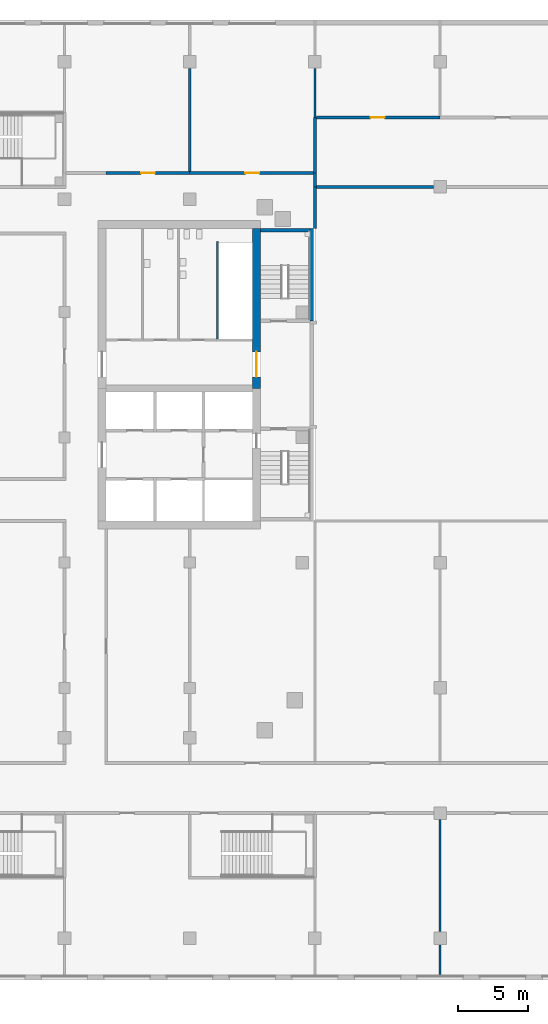
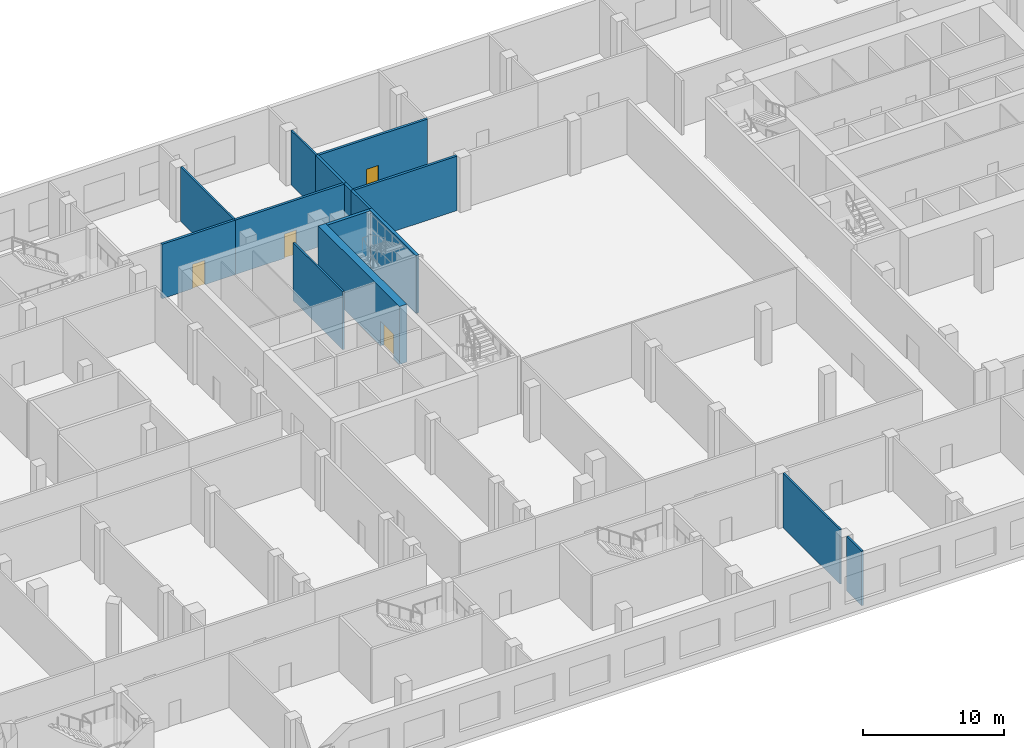
# One storey, part 7 of 21: 15 walls, 4 doors, 4 openings.
"""IFC4 building model written with IfcOpenShell, lengths in metres."""

from ifc_helpers import new_model, si_unit, direction, frame, frame_2d, origin, place, context, subcontext, project, spatial, rectangle, extrude, material, layer, layer_set, type_object, element, fill, save


model = new_model("IFC4")

# Units and contexts
model_context = context("Model", 3, precision=1e-05, world=origin(), true_north=direction((0.0, 1.0)))
body_context = subcontext(model_context, "Body", "Model", "MODEL_VIEW")
ifc_project = project(units=[si_unit("LENGTHUNIT", "METRE"), si_unit("AREAUNIT", "SQUARE_METRE"), si_unit("VOLUMEUNIT", "CUBIC_METRE"), si_unit("PLANEANGLEUNIT", "RADIAN"), si_unit("MASSUNIT", "GRAM", prefix="KILO")], contexts=[model_context])

# Site, building, storey
site_placement = place(None, origin())
site = spatial("IfcSite", under=ifc_project, at=site_placement, CompositionType="ELEMENT")
building_placement = place(site_placement, origin())
building = spatial("IfcBuilding", under=site, at=building_placement, Name="Cinnabar Reach Civic Tower", CompositionType="ELEMENT")
storey_placement = place(building_placement, frame((0.0, 0.0, 11.0)))
storey = spatial("IfcBuildingStorey", under=building, at=storey_placement, Name="L02", CompositionType="ELEMENT", Elevation=11.0)

# Wall, opening, door
ifc_material_1 = material(Name="Concrete C70", Category="concrete")
ifc_layer_1 = layer(ifc_material_1, 0.6)
ifc_layer_set_1 = layer_set([ifc_layer_1], Name="Core wall 600 EI 180")
wall_type_1 = type_object("IfcWallType", Name="Core wall 600 EI 180", PredefinedType="SOLIDWALL", material=ifc_layer_set_1)
wall_1_placement = place(storey_placement, frame((-31.2, 30.5, 0.0), z_axis=(0.0, 0.0, 1.0), x_axis=(0.0, 1.0, 0.0)))
wall_1 = element("IfcWall", 1, at=wall_1_placement, inside=storey, type_object=wall_type_1, Name="Core wall T2 L02 E2", PredefinedType="SOLIDWALL", context=body_context, shape_type="SweptSolid", body=[
    extrude(rectangle(XDim=11.5, YDim=0.6, at=frame_2d((5.75, 0.0))), origin(), (0.0, 0.0, 1.0), 5.0),
])
opening_1_placement = place(wall_1_placement, frame((0.85, 0.0, 0.0)))
opening_1 = element("IfcOpeningElement", 2, at=opening_1_placement, cuts=wall_1, Name="Opening D6057", PredefinedType="OPENING", context=body_context, shape_type="SweptSolid", body=[
    extrude(rectangle(XDim=1.8, YDim=2.1, at=frame_2d((0.9, 1.05))), frame((0.0, 0.31, 0.0), z_axis=(0.0, -1.0, 0.0), x_axis=(1.0, 0.0, 0.0)), (0.0, 0.0, 1.0), 0.62),
])
ifc_material_2 = material(Name="Steel fire door", Category="steel")
door_type_1 = type_object("IfcDoorType", Name="T2 Double door 1800", OperationType="DOUBLE_DOOR_SINGLE_SWING", PredefinedType="DOOR", material=ifc_material_2)
door_1_placement = place(opening_1_placement, origin())
door_1 = element("IfcDoor", 3, at=door_1_placement, inside=storey, type_object=door_type_1, Name="T2 Double door D6057", OperationType="DOUBLE_DOOR_SINGLE_SWING", OverallHeight=2.1, OverallWidth=1.8, PredefinedType="DOOR", context=body_context, shape_type="SweptSolid", body=[
    extrude(rectangle(XDim=1.8, YDim=2.1, at=frame_2d((0.9, 1.05))), frame((0.0, 0.025, 0.0), z_axis=(0.0, -1.0, 0.0), x_axis=(1.0, 0.0, 0.0)), (0.0, 0.0, 1.0), 0.05),
])
fill(opening_1, door_1)

# Walls
ifc_material_3 = material(Name="Concrete blockwork", Category="masonry")
ifc_layer_2 = layer(ifc_material_3, 0.2)
ifc_layer_set_2 = layer_set([ifc_layer_2], Name="Podium masonry corridor wall 200 EI 120")
wall_type_2 = type_object("IfcWallType", Name="Podium masonry corridor wall 200 EI 120", PredefinedType="PARTITIONING", material=ifc_layer_set_2)
wall_2_placement = place(storey_placement, frame((-27.0, 42.0, 0.0), z_axis=(0.0, 0.0, 1.0), x_axis=(0.0, 1.0, 0.0)))
element("IfcWall", 4, at=wall_2_placement, inside=storey, type_object=wall_type_2, Name="Wall L02 90", PredefinedType="PARTITIONING", context=body_context, shape_type="SweptSolid", body=[
    extrude(rectangle(XDim=3.0, YDim=0.2, at=frame_2d((1.5, 0.0))), origin(), (0.0, 0.0, 1.0), 4.7),
])
wall_3_placement = place(storey_placement, frame((-27.0, 45.0, 0.0), z_axis=(0.0, 0.0, 1.0), x_axis=(0.0, 1.0, 0.0)))
element("IfcWall", 5, at=wall_3_placement, inside=storey, type_object=wall_type_2, Name="Wall L02 91", PredefinedType="PARTITIONING", context=body_context, shape_type="SweptSolid", body=[
    extrude(rectangle(XDim=1.0, YDim=0.2, at=frame_2d((0.5, 0.0))), origin(), (0.0, 0.0, 1.0), 4.7),
])

# Wall, opening, door
wall_4_placement = place(storey_placement, frame((-42.0, 46.0, 0.0), z_axis=(0.0, 0.0, 1.0), x_axis=(1.0, 0.0, 0.0)))
wall_4 = element("IfcWall", 6, at=wall_4_placement, inside=storey, type_object=wall_type_2, Name="Wall L02 92", PredefinedType="PARTITIONING", context=body_context, shape_type="SweptSolid", body=[
    extrude(rectangle(XDim=6.0, YDim=0.2, at=frame_2d((3.0, 0.0))), origin(), (0.0, 0.0, 1.0), 4.7),
])
opening_2_placement = place(wall_4_placement, frame((2.5, 0.0, 0.0)))
opening_2 = element("IfcOpeningElement", 7, at=opening_2_placement, cuts=wall_4, Name="Opening D1146", PredefinedType="OPENING", context=body_context, shape_type="SweptSolid", body=[
    extrude(rectangle(XDim=1.0, YDim=2.1, at=frame_2d((0.5, 1.05))), frame((0.0, 0.11, 0.0), z_axis=(0.0, -1.0, 0.0), x_axis=(1.0, 0.0, 0.0)), (0.0, 0.0, 1.0), 0.22),
])
ifc_material_4 = material(Name="Painted steel door leaf", Category="steel")
door_type_2 = type_object("IfcDoorType", Name="Podium single door 1000x2100", OperationType="SINGLE_SWING_LEFT", PredefinedType="DOOR", material=ifc_material_4)
door_2_placement = place(opening_2_placement, origin())
door_2 = element("IfcDoor", 8, at=door_2_placement, inside=storey, type_object=door_type_2, Name="Door D1146", OperationType="SINGLE_SWING_RIGHT", OverallHeight=2.1, OverallWidth=1.0, PredefinedType="DOOR", context=body_context, shape_type="SweptSolid", body=[
    extrude(rectangle(XDim=1.0, YDim=2.1, at=frame_2d((0.5, 1.05))), frame((0.0, 0.025, 0.0), z_axis=(0.0, -1.0, 0.0), x_axis=(1.0, 0.0, 0.0)), (0.0, 0.0, 1.0), 0.05),
])
fill(opening_2, door_2)

wall_5_placement = place(storey_placement, frame((-36.0, 46.0, 0.0), z_axis=(0.0, 0.0, 1.0), x_axis=(1.0, 0.0, 0.0)))
wall_5 = element("IfcWall", 9, at=wall_5_placement, inside=storey, type_object=wall_type_2, Name="Wall L02 93", PredefinedType="PARTITIONING", context=body_context, shape_type="SweptSolid", body=[
    extrude(rectangle(XDim=8.9, YDim=0.2, at=frame_2d((4.45, 0.0))), origin(), (0.0, 0.0, 1.0), 4.7),
])
opening_3_placement = place(wall_5_placement, frame((4.0, 0.0, 0.0)))
opening_3 = element("IfcOpeningElement", 10, at=opening_3_placement, cuts=wall_5, Name="Opening D1147", PredefinedType="OPENING", context=body_context, shape_type="SweptSolid", body=[
    extrude(rectangle(XDim=1.0, YDim=2.1, at=frame_2d((0.5, 1.05))), frame((0.0, 0.11, 0.0), z_axis=(0.0, -1.0, 0.0), x_axis=(1.0, 0.0, 0.0)), (0.0, 0.0, 1.0), 0.22),
])
door_3_placement = place(opening_3_placement, origin())
door_3 = element("IfcDoor", 11, at=door_3_placement, inside=storey, type_object=door_type_2, Name="Door D1147", OperationType="SINGLE_SWING_RIGHT", OverallHeight=2.1, OverallWidth=1.0, PredefinedType="DOOR", context=body_context, shape_type="SweptSolid", body=[
    extrude(rectangle(XDim=1.0, YDim=2.1, at=frame_2d((0.5, 1.05))), frame((0.0, 0.025, 0.0), z_axis=(0.0, -1.0, 0.0), x_axis=(1.0, 0.0, 0.0)), (0.0, 0.0, 1.0), 0.05),
])
fill(opening_3, door_3)

# Wall
wall_6_placement = place(storey_placement, frame((-26.9, 45.0, 0.0), z_axis=(0.0, 0.0, 1.0), x_axis=(1.0, 0.0, 0.0)))
element("IfcWall", 12, at=wall_6_placement, inside=storey, type_object=wall_type_2, Name="Wall L02 131", PredefinedType="PARTITIONING", context=body_context, shape_type="SweptSolid", body=[
    extrude(rectangle(XDim=8.43, YDim=0.2, at=frame_2d((4.215, 0.0))), origin(), (0.0, 0.0, 1.0), 4.7),
])

# Wall, opening, door
wall_7_placement = place(storey_placement, frame((-26.9, 50.0, 0.0), z_axis=(0.0, 0.0, 1.0), x_axis=(1.0, 0.0, 0.0)))
wall_7 = element("IfcWall", 13, at=wall_7_placement, inside=storey, type_object=wall_type_2, Name="Wall L02 138", PredefinedType="PARTITIONING", context=body_context, shape_type="SweptSolid", body=[
    extrude(rectangle(XDim=8.9, YDim=0.2, at=frame_2d((4.45, 0.0))), origin(), (0.0, 0.0, 1.0), 4.7),
])
opening_4_placement = place(wall_7_placement, frame((3.9, 0.0, 0.0)))
opening_4 = element("IfcOpeningElement", 14, at=opening_4_placement, cuts=wall_7, Name="Opening D1104", PredefinedType="OPENING", context=body_context, shape_type="SweptSolid", body=[
    extrude(rectangle(XDim=1.0, YDim=2.1, at=frame_2d((0.5, 1.05))), frame((0.0, 0.11, 0.0), z_axis=(0.0, -1.0, 0.0), x_axis=(1.0, 0.0, 0.0)), (0.0, 0.0, 1.0), 0.22),
])
door_4_placement = place(opening_4_placement, origin())
door_4 = element("IfcDoor", 15, at=door_4_placement, inside=storey, type_object=door_type_2, Name="Door D1104", OperationType="SINGLE_SWING_RIGHT", OverallHeight=2.1, OverallWidth=1.0, PredefinedType="DOOR", context=body_context, shape_type="SweptSolid", body=[
    extrude(rectangle(XDim=1.0, YDim=2.1, at=frame_2d((0.5, 1.05))), frame((0.0, 0.025, 0.0), z_axis=(0.0, -1.0, 0.0), x_axis=(1.0, 0.0, 0.0)), (0.0, 0.0, 1.0), 0.05),
])
fill(opening_4, door_4)

# Walls
wall_8_placement = place(storey_placement, frame((-27.0, 46.0, 0.0), z_axis=(0.0, 0.0, 1.0), x_axis=(0.0, 1.0, 0.0)))
element("IfcWall", 16, at=wall_8_placement, inside=storey, type_object=wall_type_2, Name="Wall L02 141", PredefinedType="PARTITIONING", context=body_context, shape_type="SweptSolid", body=[
    extrude(rectangle(XDim=4.0, YDim=0.2, at=frame_2d((2.0, 0.0))), origin(), (0.0, 0.0, 1.0), 4.7),
])
ifc_material_5 = material(Name="Gypsum board on steel studs", Category="steel")
ifc_layer_3 = layer(ifc_material_5, 0.15)
ifc_layer_set_3 = layer_set([ifc_layer_3], Name="Podium partition wall 150 EI 90")
wall_type_3 = type_object("IfcWallType", Name="Podium partition wall 150 EI 90", PredefinedType="PARTITIONING", material=ifc_layer_set_3)
wall_9_placement = place(storey_placement, frame((-27.0, 50.0, 0.0), z_axis=(0.0, 0.0, 1.0), x_axis=(0.0, 1.0, 0.0)))
element("IfcWall", 17, at=wall_9_placement, inside=storey, type_object=wall_type_3, Name="Wall L02 145", PredefinedType="PARTITIONING", context=body_context, shape_type="SweptSolid", body=[
    extrude(rectangle(XDim=3.53, YDim=0.15, at=frame_2d((1.765, 0.0))), origin(), (0.0, 0.0, 1.0), 4.7),
])
wall_10_placement = place(storey_placement, frame((-18.0, -11.6, 0.0), z_axis=(0.0, 0.0, 1.0), x_axis=(0.0, 1.0, 0.0)))
element("IfcWall", 18, at=wall_10_placement, inside=storey, type_object=wall_type_3, Name="Wall L02 151", PredefinedType="PARTITIONING", context=body_context, shape_type="SweptSolid", body=[
    extrude(rectangle(XDim=2.13, YDim=0.15, at=frame_2d((1.065, 0.0))), origin(), (0.0, 0.0, 1.0), 4.7),
])
wall_11_placement = place(storey_placement, frame((-18.0, -8.53, 0.0), z_axis=(0.0, 0.0, 1.0), x_axis=(0.0, 1.0, 0.0)))
element("IfcWall", 19, at=wall_11_placement, inside=storey, type_object=wall_type_3, Name="Wall L02 152", PredefinedType="PARTITIONING", context=body_context, shape_type="SweptSolid", body=[
    extrude(rectangle(XDim=8.06, YDim=0.15, at=frame_2d((4.03, 0.0))), origin(), (0.0, 0.0, 1.0), 4.7),
])
wall_12_placement = place(storey_placement, frame((-36.0, 46.1, 0.0), z_axis=(0.0, 0.0, 1.0), x_axis=(0.0, 1.0, 0.0)))
element("IfcWall", 20, at=wall_12_placement, inside=storey, type_object=wall_type_3, Name="Wall L02 219", PredefinedType="PARTITIONING", context=body_context, shape_type="SweptSolid", body=[
    extrude(rectangle(XDim=7.43, YDim=0.15, at=frame_2d((3.715, 0.0))), origin(), (0.0, 0.0, 1.0), 4.7),
])
ifc_material_6 = material(Name="Concrete C60", Category="concrete")
ifc_layer_4 = layer(ifc_material_6, 0.25)
ifc_layer_set_4 = layer_set([ifc_layer_4], Name="Stair shaft wall 250 EI 120")
wall_type_4 = type_object("IfcWallType", Name="Stair shaft wall 250 EI 120", PredefinedType="SOLIDWALL", material=ifc_layer_set_4)
wall_13_placement = place(storey_placement, frame((-27.36, 41.875, 0.0), z_axis=(0.0, 0.0, 1.0), x_axis=(-1.0, 0.0, 0.0)))
element("IfcWall", 21, at=wall_13_placement, inside=storey, type_object=wall_type_4, Name="Stair shaft wall T2-S2 L02", PredefinedType="SOLIDWALL", context=body_context, shape_type="SweptSolid", body=[
    extrude(rectangle(XDim=3.54, YDim=0.25, at=frame_2d((1.77, 0.0))), origin(), (0.0, 0.0, 1.0), 5.0),
])
wall_14_placement = place(storey_placement, frame((-27.235, 35.35, 0.0), z_axis=(0.0, 0.0, 1.0), x_axis=(0.0, 1.0, 0.0)))
element("IfcWall", 22, at=wall_14_placement, inside=storey, type_object=wall_type_4, Name="Stair shaft wall T2-STRIP L02", PredefinedType="SOLIDWALL", context=body_context, shape_type="SweptSolid", body=[
    extrude(rectangle(XDim=6.65, YDim=0.25, at=frame_2d((3.325, 0.0))), origin(), (0.0, 0.0, 1.0), 5.0),
])
ifc_material_7 = material(Name="Concrete C40", Category="concrete")
ifc_layer_5 = layer(ifc_material_7, 0.15)
ifc_layer_set_5 = layer_set([ifc_layer_5], Name="T2 Riser wall 150")
wall_type_5 = type_object("IfcWallType", Name="T2 Riser wall 150", PredefinedType="SOLIDWALL", material=ifc_layer_set_5)
wall_15_placement = place(storey_placement, frame((-34.0, 41.075, 0.0), z_axis=(0.0, 0.0, 1.0), x_axis=(0.0, -1.0, 0.0)))
element("IfcWall", 23, at=wall_15_placement, inside=storey, type_object=wall_type_5, Name="T2 Riser wall L02 015", PredefinedType="SOLIDWALL", context=body_context, shape_type="SweptSolid", body=[
    extrude(rectangle(XDim=7.0, YDim=0.15, at=frame_2d((3.5, 0.0))), origin(), (0.0, 0.0, 1.0), 5.0),
])

save(model, "model.ifc")
